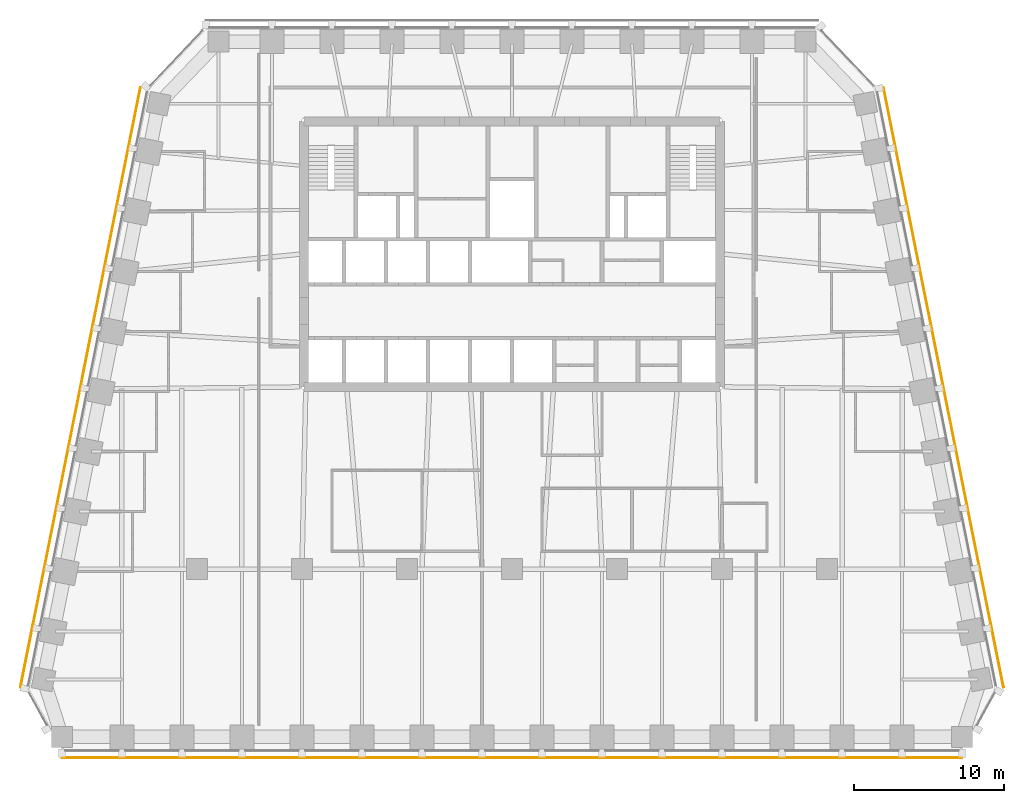
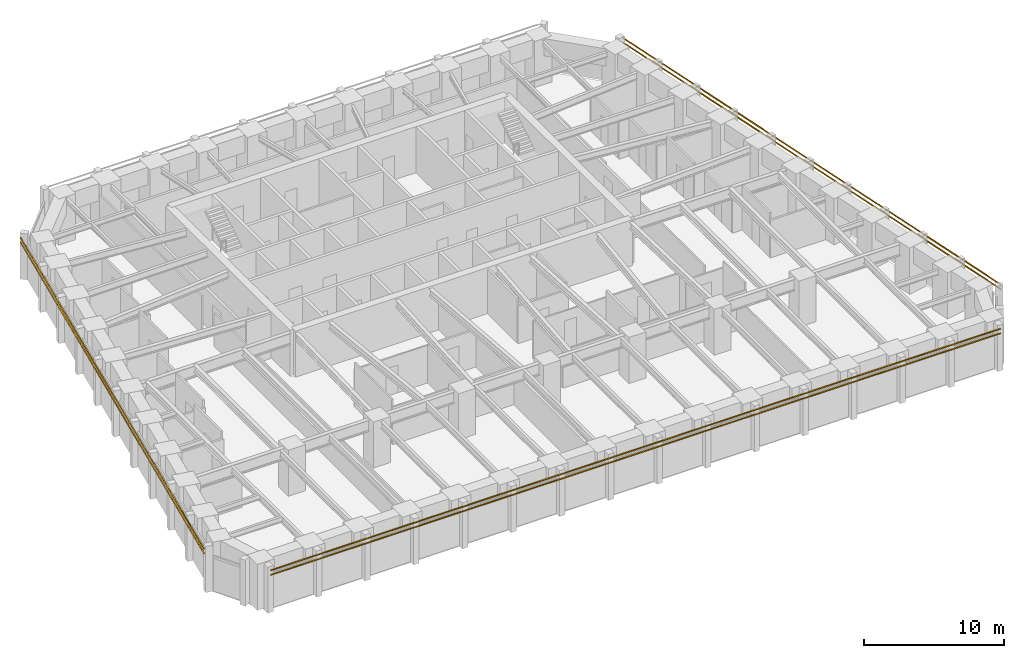
# One storey, part 9 of 10: 6 shading devices.
"""IFC4 building model written with IfcOpenShell, lengths in metres."""

import ifcopenshell
import ifcopenshell.guid

model = None  # the IFC model being written
_history = None  # IfcOwnerHistory: only IFC2X3 demands one
_inside = {}  # id of a spatial element -> (the spatial element, [elements in it])
_under = {}  # id of a project, library or spatial element -> (it, [spatial elements below it])
_declared = {}  # id of a project -> (the project, [libraries it declares])
_typed = {}  # id of a type object -> (the type object, [elements of that type])
_made_of = {}  # id of a material, layer set ... -> (it, [elements and type objects made of it])


def new_model(schema):
    """Start an empty IFC model of exactly this schema.

    Asked for "IFC4X3", IfcOpenShell would pick the latest addendum, in which some entities
    have other attributes; the version numbers below select the first issue.
    IFC2X3 requires an IfcOwnerHistory on every rooted entity: one is made here for all.
    """
    global model, _history
    if schema == "IFC4X3":
        model = ifcopenshell.file(schema_version=(4, 3, 0, 0))
    else:
        model = ifcopenshell.file(schema=schema)
    _inside.clear()
    _under.clear()
    _declared.clear()
    _typed.clear()
    _made_of.clear()
    _history = None
    if model.schema == "IFC2X3":
        org = make("IfcOrganization", Name="unknown")
        user = make(
            "IfcPersonAndOrganization",
            ThePerson=make("IfcPerson", FamilyName="unknown"),
            TheOrganization=org,
        )
        app = make(
            "IfcApplication",
            ApplicationDeveloper=org,
            Version="unknown",
            ApplicationFullName="unknown",
            ApplicationIdentifier="unknown",
        )
        _history = make(
            "IfcOwnerHistory",
            OwningUser=user,
            OwningApplication=app,
            ChangeAction="ADDED",
            CreationDate=0,
        )
    return model


def make(cls, **values):
    """One entity of the class cls with the attributes given. An attribute that is None is left unset."""
    return model.create_entity(
        cls, **{name: value for name, value in values.items() if value is not None}
    )


def rooted(cls, **values):
    """An entity with a GlobalId (a new one), such as an element, a storey or a relation."""
    return make(cls, GlobalId=ifcopenshell.guid.new(), OwnerHistory=_history, **values)


def si_unit(unit_type, name, prefix=None):
    """IfcSIUnit, for example si_unit("LENGTHUNIT", "METRE", prefix="MILLI")."""
    return make("IfcSIUnit", UnitType=unit_type, Prefix=prefix, Name=name)


def assignment(units):
    """IfcUnitAssignment: the units of a project."""
    return None if units is None else make("IfcUnitAssignment", Units=units)


def point(xyz):
    """IfcCartesianPoint."""
    return None if xyz is None else make("IfcCartesianPoint", Coordinates=xyz)


def direction(xyz):
    """IfcDirection."""
    return None if xyz is None else make("IfcDirection", DirectionRatios=xyz)


def frame(location, z_axis=None, x_axis=None):
    """IfcAxis2Placement3D, a coordinate frame: its origin and axes. An axis left out is left unset."""
    return make(
        "IfcAxis2Placement3D",
        Location=point(location),
        Axis=direction(z_axis),
        RefDirection=direction(x_axis),
    )


def frame_2d(location, x_axis=None):
    """IfcAxis2Placement2D, a coordinate frame in the plane: its origin and x axis."""
    return make(
        "IfcAxis2Placement2D", Location=point(location), RefDirection=direction(x_axis)
    )


def origin():
    """The frame at (0, 0, 0) with its axes left unset."""
    return frame((0.0, 0.0, 0.0))


def origin_2d():
    """The frame at (0, 0) in the plane with its x axis left unset."""
    return frame_2d((0.0, 0.0))


def place(relative_to, where):
    """IfcLocalPlacement: puts the frame where relative to a parent placement (None: the world)."""
    return make(
        "IfcLocalPlacement", PlacementRelTo=relative_to, RelativePlacement=where
    )


def context(
    kind, dimensions, precision=None, world=None, true_north=None, identifier=None
):
    """IfcGeometricRepresentationContext, for example the 3D "Model" context."""
    return make(
        "IfcGeometricRepresentationContext",
        ContextIdentifier=identifier,
        ContextType=kind,
        CoordinateSpaceDimension=dimensions,
        Precision=precision,
        WorldCoordinateSystem=world,
        TrueNorth=true_north,
    )


def subcontext(parent, identifier, kind, view, scale=None):
    """IfcGeometricRepresentationSubContext, for example "Body" below "Model"."""
    return make(
        "IfcGeometricRepresentationSubContext",
        ContextIdentifier=identifier,
        ContextType=kind,
        ParentContext=parent,
        TargetScale=scale,
        TargetView=view,
    )


def project(units=None, contexts=None):
    """IfcProject with its units and contexts."""
    return rooted(
        "IfcProject",
        Name="project",
        RepresentationContexts=contexts,
        UnitsInContext=assignment(units),
    )


def spatial(cls, under=None, at=None, **own):
    """A site, building, storey or space (cls), placed at a placement, below another one or the project."""
    s = rooted(cls, ObjectPlacement=at, **own)
    if under is not None:
        _under.setdefault(under.id(), (under, []))[1].append(s)
    return s


def profile(cls, at=None, kind="AREA", **sizes):
    """A parametric profile (cls). Its sizes go by their IFC names, for example OverallWidth=200.0."""
    return make(cls, ProfileType=kind, Position=at, **sizes)


def rectangle(**sizes):
    """IfcRectangleProfileDef."""
    return profile("IfcRectangleProfileDef", **sizes)


def extrude(swept, where, along, depth):
    """IfcExtrudedAreaSolid: the profile swept, set in the frame where, extruded along a direction by depth."""
    return make(
        "IfcExtrudedAreaSolid",
        SweptArea=swept,
        Position=where,
        ExtrudedDirection=direction(along),
        Depth=depth,
    )


def shape(context_of_items, identifier, shape_type, items):
    """IfcShapeRepresentation: the items that make up one representation, for example the "Body"."""
    return make(
        "IfcShapeRepresentation",
        ContextOfItems=context_of_items,
        RepresentationIdentifier=identifier,
        RepresentationType=shape_type,
        Items=items,
    )


def material(Name=None, Category=None):
    """IfcMaterial."""
    return make("IfcMaterial", Name=Name, Category=Category)


def material_profile(
    of_material, cross_section, Name=None, Category=None, Priority=None
):
    """IfcMaterialProfile: a cross section and its material."""
    return make(
        "IfcMaterialProfile",
        Name=Name,
        Material=of_material,
        Profile=cross_section,
        Priority=Priority,
        Category=Category,
    )


def profile_set(profiles, Name=None, composite=None):
    """IfcMaterialProfileSet."""
    return make(
        "IfcMaterialProfileSet",
        Name=Name,
        MaterialProfiles=profiles,
        CompositeProfile=composite,
    )


def made_of(thing, what):
    """Note that an element or type object is made of a material, layer set ...; save() writes the relation."""
    if what is not None:
        _made_of.setdefault(what.id(), (what, []))[1].append(thing)
    return thing


def type_object(cls, material=None, **own):
    """A type object (cls), such as IfcWallType, which elements share."""
    return made_of(rooted(cls, **own), material)


def element(
    cls,
    number,
    at=None,
    inside=None,
    cuts=None,
    type_object=None,
    material=None,
    context=None,
    identifier="Body",
    shape_type=None,
    held_by="IfcProductDefinitionShape",
    body=None,
    shapes=None,
    **own,
):
    """One element of the class cls, such as IfcWall. Its Tag is "e" and its number.

    at: its placement. inside: the storey or other place that contains it. cuts: it is an
    opening in that element (IfcRelVoidsElement). A single representation is given by context,
    identifier, shape_type and body (its items); several are given by shapes. held_by: the class
    of the entity that holds the representations. save() writes the other relations.
    """
    e = rooted(cls, Tag="e%d" % number, ObjectPlacement=at, **own)
    if body is not None:
        shapes = [shape(context, identifier, shape_type, body)]
    if shapes is not None:
        e.Representation = make(held_by, Representations=shapes)
    if inside is not None:
        _inside.setdefault(inside.id(), (inside, []))[1].append(e)
    if cuts is not None:
        rooted(
            "IfcRelVoidsElement", RelatingBuildingElement=cuts, RelatedOpeningElement=e
        )
    if type_object is not None:
        _typed.setdefault(type_object.id(), (type_object, []))[1].append(e)
    return made_of(e, material)


def aggregate(whole, parts):
    """IfcRelAggregates: a whole, such as a stair, and the parts it consists of."""
    return rooted("IfcRelAggregates", RelatingObject=whole, RelatedObjects=parts)


def save(model, path):
    """Write the relations noted so far, then the file.

    IfcRelAggregates (storeys below a building ...), IfcRelContainedInSpatialStructure (elements
    in a storey), IfcRelDefinesByType, IfcRelAssociatesMaterial and IfcRelDeclares: one each for
    every whole, place, type object, material and project.
    """
    for whole, parts in _under.values():
        aggregate(whole, parts)
    for where, things in _inside.values():
        rooted(
            "IfcRelContainedInSpatialStructure",
            RelatedElements=things,
            RelatingStructure=where,
        )
    for kind, things in _typed.values():
        rooted("IfcRelDefinesByType", RelatedObjects=things, RelatingType=kind)
    for what, things in _made_of.values():
        rooted("IfcRelAssociatesMaterial", RelatedObjects=things, RelatingMaterial=what)
    for by, libraries in _declared.values():
        rooted("IfcRelDeclares", RelatingContext=by, RelatedDefinitions=libraries)
    model.write(path)


model = new_model("IFC4")

# Units and contexts
model_context = context("Model", 3, precision=1e-05, world=origin(), true_north=direction((0.0, 1.0)))
body_context = subcontext(model_context, "Body", "Model", "MODEL_VIEW")
ifc_project = project(units=[si_unit("LENGTHUNIT", "METRE"), si_unit("AREAUNIT", "SQUARE_METRE"), si_unit("VOLUMEUNIT", "CUBIC_METRE"), si_unit("PLANEANGLEUNIT", "RADIAN"), si_unit("MASSUNIT", "GRAM", prefix="KILO")], contexts=[model_context])

# Site, building, storey
site_placement = place(None, origin())
site = spatial("IfcSite", under=ifc_project, at=site_placement, CompositionType="ELEMENT")
building_placement = place(site_placement, origin())
building = spatial("IfcBuilding", under=site, at=building_placement, Name="Isbrekke Arena Tower", CompositionType="ELEMENT")
storey_placement = place(building_placement, frame((0.0, 0.0, 194.0)))
storey = spatial("IfcBuildingStorey", under=building, at=storey_placement, Name="L44", CompositionType="ELEMENT", Elevation=194.0)

# Shading devices
ifc_material = material(Name="Terracotta", Category="masonry")
ifc_material_profile = material_profile(ifc_material, rectangle(XDim=0.06005859375, YDim=0.06005859375, at=origin_2d()), Name="BAGUETTE 60X60")
ifc_profile_set = profile_set([ifc_material_profile], Name="Terracotta")
shading_device_type = type_object("IfcShadingDeviceType", Name="BG1 TERRACOTTA BAGUETTE 60 x 60", PredefinedType="USERDEFINED", material=ifc_profile_set)
for number, where, z_axis, x_axis, name in (
    (1, (-30.0, -18.580078125, 3.280029296875), (1.0, 0.0, 0.0), (0.0, 1.0, 0.0), "BG1 terracotta baguette S1 L44"),
    (2, (-30.0, -18.580078125, 3.679931640625), (1.0, 0.0, 0.0), (0.0, 1.0, 0.0), "BG1 terracotta baguette S2 L44"),
):
    element("IfcShadingDevice", number, at=place(storey_placement, frame(where, z_axis=z_axis, x_axis=x_axis)), inside=storey, type_object=shading_device_type, Name=name, ObjectType="TERRACOTTA BAGUETTE", PredefinedType="USERDEFINED", context=body_context, shape_type="SweptSolid", body=[
        extrude(rectangle(XDim=0.06005859375, YDim=0.06005859375, at=origin_2d()), origin(), (0.0, 0.0, 1.0), 60.0),
    ])
for number, where, z_axis, x_axis, name in (
    (3, (32.768798828125, -13.88623046875, 3.280029296875), (-0.196116135138, 0.980580675691, 0.0), (-0.980580675691, -0.196116135138, 0.0), "BG1 terracotta baguette E1 L44"),
    (4, (32.768798828125, -13.88623046875, 3.679931640625), (-0.196116135138, 0.980580675691, 0.0), (-0.980580675691, -0.196116135138, 0.0), "BG1 terracotta baguette E2 L44"),
    (5, (-24.768798828125, 26.11376953125, 3.280029296875), (-0.196116135138, -0.980580675691, 0.0), (0.980580675691, -0.196116135138, 0.0), "BG1 terracotta baguette W1 L44"),
    (6, (-24.768798828125, 26.11376953125, 3.679931640625), (-0.196116135138, -0.980580675691, 0.0), (0.980580675691, -0.196116135138, 0.0), "BG1 terracotta baguette W2 L44"),
):
    element("IfcShadingDevice", number, at=place(storey_placement, frame(where, z_axis=z_axis, x_axis=x_axis)), inside=storey, type_object=shading_device_type, Name=name, ObjectType="TERRACOTTA BAGUETTE", PredefinedType="USERDEFINED", context=body_context, shape_type="SweptSolid", body=[
        extrude(rectangle(XDim=0.06005859375, YDim=0.06005859375, at=origin_2d()), origin(), (0.0, 0.0, 1.0), 40.792236328125),
    ])

save(model, "model.ifc")
